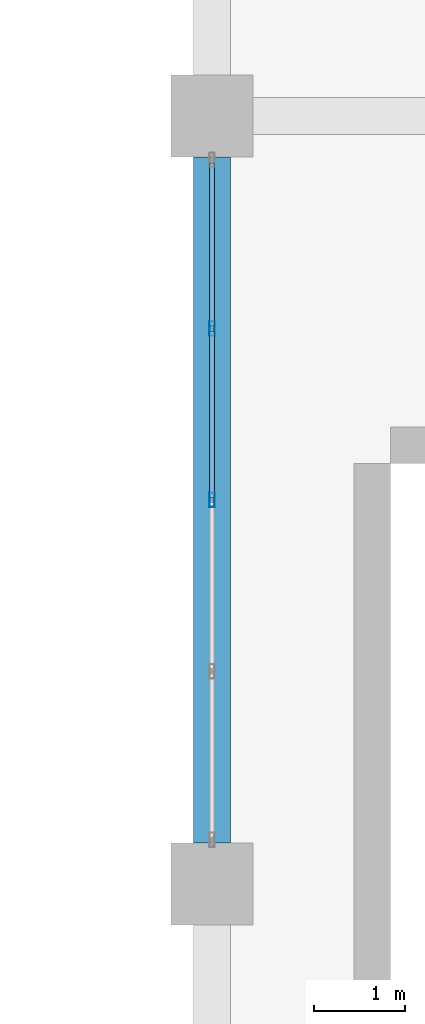
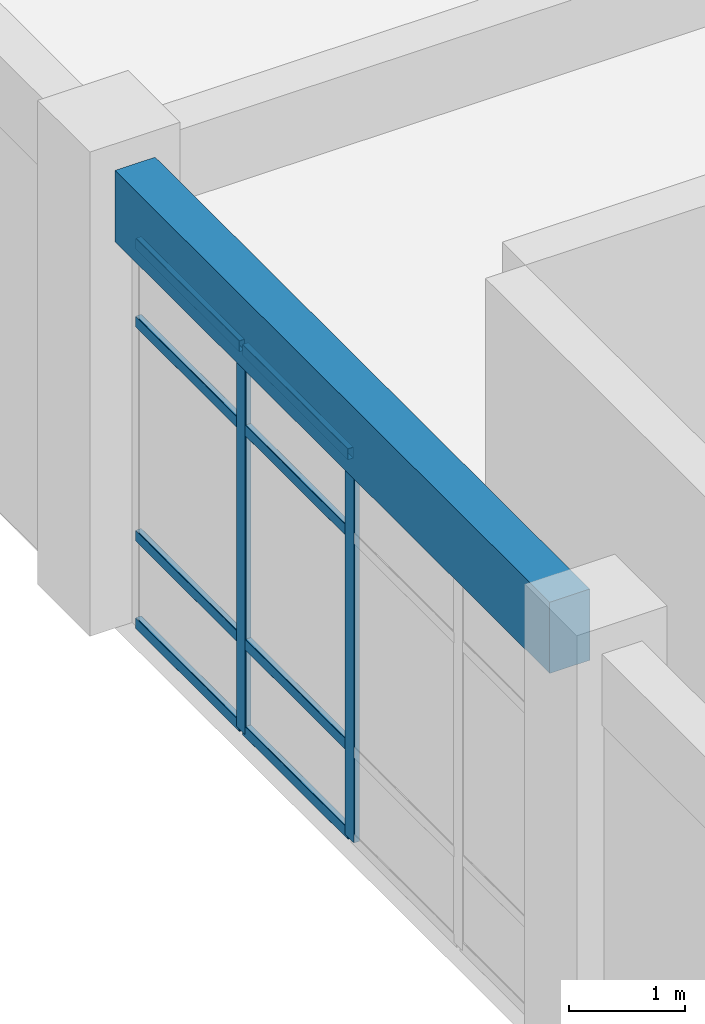
# One storey, part 29 of 120: 10 members, 1 beam, 1 element without a shape of its own.
"""IFC4 building model written with IfcOpenShell, lengths in metres."""

from ifc_helpers import new_model, si_unit, derived_unit, direction, frame, origin, origin_2d, place, context, subcontext, project, spatial, rectangle, hollow_rectangle, extrude, material, layer, layer_set, material_profile, profile_set, type_object, element, aggregate, save


model = new_model("IFC4")

# Units and contexts
model_context = context("Model", 3, precision=1e-05, world=origin(), true_north=direction((0.0, 1.0)))
body_context = subcontext(model_context, "Body", "Model", "MODEL_VIEW")
ifc_project = project(units=[si_unit("LENGTHUNIT", "METRE"), si_unit("AREAUNIT", "SQUARE_METRE"), si_unit("VOLUMEUNIT", "CUBIC_METRE"), si_unit("PLANEANGLEUNIT", "RADIAN"), si_unit("MASSUNIT", "GRAM", prefix="KILO"), derived_unit("THERMALTRANSMITTANCEUNIT", [(si_unit("MASSUNIT", "GRAM", prefix="KILO"), 1), (si_unit("TIMEUNIT", "SECOND"), -3), (si_unit("THERMODYNAMICTEMPERATUREUNIT", "KELVIN"), -1)])], contexts=[model_context])

# Site, building, storey
site_placement = place(None, origin())
site = spatial("IfcSite", under=ifc_project, at=site_placement, CompositionType="ELEMENT")
building_placement = place(site_placement, origin())
building = spatial("IfcBuilding", under=site, at=building_placement, Name="Qinzheling Arcade Emporium", CompositionType="ELEMENT")
storey_placement = place(building_placement, frame((0.0, 0.0, 11.39990234375)))
storey = spatial("IfcBuildingStorey", under=building, at=storey_placement, Name="L03", CompositionType="ELEMENT", Elevation=11.39990234375)

# Curtain wall, members
ifc_material_1 = material(Name="Anodised aluminium and solar-control double glazing", Category="aluminium")
ifc_layer = layer(ifc_material_1, 0.159912109375, Name="Anodised aluminium and solar-control double glazing", Category="aluminium")
ifc_layer_set = layer_set([ifc_layer], Name="Anodised aluminium and solar-control double glazing")
curtain_wall_type = type_object("IfcCurtainWallType", Name="Arcade Portal Glazed Curtain Wall", PredefinedType="NOTDEFINED", material=ifc_layer_set)
curtain_wall_placement = place(storey_placement, origin())
curtain_wall = element("IfcCurtainWall", 1, at=curtain_wall_placement, inside=storey, type_object=curtain_wall_type, Name="Curtain Wall CW-L03-140", PredefinedType="NOTDEFINED")
ifc_material_2 = material(Name="Anodised aluminium 6063-T6", Category="aluminium")
ifc_material_profile_1 = material_profile(ifc_material_2, hollow_rectangle(XDim=0.06005859375, YDim=0.159912109375, WallThickness=0.00390625, InnerFilletRadius=0.00390625, OuterFilletRadius=0.008056640625, at=origin_2d()), Name="RHS 160x60x4", Category="aluminium")
ifc_profile_set_1 = profile_set([ifc_material_profile_1], Name="Anodised aluminium 6063-T6")
member_type_1 = type_object("IfcMemberType", Name="Curtain Wall Mullion RHS160x60", PredefinedType="MULLION", material=ifc_profile_set_1)
member_1_placement = place(storey_placement, frame((104.39990234375, 12.60009765625, 0.0), z_axis=(0.0, 0.0, 1.0), x_axis=(-1.0, 0.0, 0.0)))
member_1 = element("IfcMember", 2, at=member_1_placement, type_object=member_type_1, Name="CW05 mullion 3", PredefinedType="MULLION", context=body_context, shape_type="SweptSolid", body=[
    extrude(hollow_rectangle(XDim=0.06005859375, YDim=0.159912109375, WallThickness=0.00390625, InnerFilletRadius=0.00390625, OuterFilletRadius=0.008056640625, at=origin_2d()), origin(), (0.0, 0.0, 1.0), 4.05517578125),
])
member_2_placement = place(storey_placement, frame((104.39990234375, 14.47412109375, 0.0), z_axis=(0.0, 0.0, 1.0), x_axis=(-1.0, 0.0, 0.0)))
member_2 = element("IfcMember", 3, at=member_2_placement, type_object=member_type_1, Name="CW05 mullion 4", PredefinedType="MULLION", context=body_context, shape_type="SweptSolid", body=[
    extrude(hollow_rectangle(XDim=0.06005859375, YDim=0.159912109375, WallThickness=0.00390625, InnerFilletRadius=0.00390625, OuterFilletRadius=0.008056640625, at=origin_2d()), origin(), (0.0, 0.0, 1.0), 4.05517578125),
])
ifc_material_profile_2 = material_profile(ifc_material_2, hollow_rectangle(XDim=0.06005859375, YDim=0.1201171875, WallThickness=0.00390625, InnerFilletRadius=0.00390625, OuterFilletRadius=0.008056640625, at=origin_2d()), Name="RHS 120x60x4", Category="aluminium")
ifc_profile_set_2 = profile_set([ifc_material_profile_2], Name="Anodised aluminium 6063-T6")
member_type_2 = type_object("IfcMemberType", Name="Curtain Wall Transom RHS120x60", PredefinedType="USERDEFINED", material=ifc_profile_set_2)
member_3_placement = place(storey_placement, frame((104.39990234375, 12.6298828125, 0.030029296875), z_axis=(0.0, 1.0, 0.0), x_axis=(-1.0, 0.0, 0.0)))
member_3 = element("IfcMember", 4, at=member_3_placement, type_object=member_type_2, Name="CW05 transom 3.1", ObjectType="TRANSOM", PredefinedType="USERDEFINED", context=body_context, shape_type="SweptSolid", body=[
    extrude(hollow_rectangle(XDim=0.06005859375, YDim=0.1201171875, WallThickness=0.00390625, InnerFilletRadius=0.00390625, OuterFilletRadius=0.008056640625, at=origin_2d()), origin(), (0.0, 0.0, 1.0), 1.814208984375),
])
member_4_placement = place(storey_placement, frame((104.39990234375, 12.6298828125, 0.9501953125), z_axis=(0.0, 1.0, 0.0), x_axis=(-1.0, 0.0, 0.0)))
member_4 = element("IfcMember", 5, at=member_4_placement, type_object=member_type_2, Name="CW05 transom 3.2", ObjectType="TRANSOM", PredefinedType="USERDEFINED", context=body_context, shape_type="SweptSolid", body=[
    extrude(hollow_rectangle(XDim=0.06005859375, YDim=0.1201171875, WallThickness=0.00390625, InnerFilletRadius=0.00390625, OuterFilletRadius=0.008056640625, at=origin_2d()), origin(), (0.0, 0.0, 1.0), 1.814208984375),
])
member_5_placement = place(storey_placement, frame((104.39990234375, 12.6298828125, 3.205078125), z_axis=(0.0, 1.0, 0.0), x_axis=(-1.0, 0.0, 0.0)))
member_5 = element("IfcMember", 6, at=member_5_placement, type_object=member_type_2, Name="CW05 transom 3.3", ObjectType="TRANSOM", PredefinedType="USERDEFINED", context=body_context, shape_type="SweptSolid", body=[
    extrude(hollow_rectangle(XDim=0.06005859375, YDim=0.1201171875, WallThickness=0.00390625, InnerFilletRadius=0.00390625, OuterFilletRadius=0.008056640625, at=origin_2d()), origin(), (0.0, 0.0, 1.0), 1.814208984375),
])
member_6_placement = place(storey_placement, frame((104.39990234375, 12.6298828125, 4.025146484375), z_axis=(0.0, 1.0, 0.0), x_axis=(-1.0, 0.0, 0.0)))
member_6 = element("IfcMember", 7, at=member_6_placement, type_object=member_type_2, Name="CW05 transom 3.4", ObjectType="TRANSOM", PredefinedType="USERDEFINED", context=body_context, shape_type="SweptSolid", body=[
    extrude(hollow_rectangle(XDim=0.06005859375, YDim=0.1201171875, WallThickness=0.00390625, InnerFilletRadius=0.00390625, OuterFilletRadius=0.008056640625, at=origin_2d()), origin(), (0.0, 0.0, 1.0), 1.814208984375),
])
member_7_placement = place(storey_placement, frame((104.39990234375, 14.50390625, 0.030029296875), z_axis=(0.0, 1.0, 0.0), x_axis=(-1.0, 0.0, 0.0)))
member_7 = element("IfcMember", 8, at=member_7_placement, type_object=member_type_2, Name="CW05 transom 4.1", ObjectType="TRANSOM", PredefinedType="USERDEFINED", context=body_context, shape_type="SweptSolid", body=[
    extrude(hollow_rectangle(XDim=0.06005859375, YDim=0.1201171875, WallThickness=0.00390625, InnerFilletRadius=0.00390625, OuterFilletRadius=0.008056640625, at=origin_2d()), origin(), (0.0, 0.0, 1.0), 1.7841796875),
])
member_8_placement = place(storey_placement, frame((104.39990234375, 14.50390625, 0.9501953125), z_axis=(0.0, 1.0, 0.0), x_axis=(-1.0, 0.0, 0.0)))
member_8 = element("IfcMember", 9, at=member_8_placement, type_object=member_type_2, Name="CW05 transom 4.2", ObjectType="TRANSOM", PredefinedType="USERDEFINED", context=body_context, shape_type="SweptSolid", body=[
    extrude(hollow_rectangle(XDim=0.06005859375, YDim=0.1201171875, WallThickness=0.00390625, InnerFilletRadius=0.00390625, OuterFilletRadius=0.008056640625, at=origin_2d()), origin(), (0.0, 0.0, 1.0), 1.7841796875),
])
member_9_placement = place(storey_placement, frame((104.39990234375, 14.50390625, 3.205078125), z_axis=(0.0, 1.0, 0.0), x_axis=(-1.0, 0.0, 0.0)))
member_9 = element("IfcMember", 10, at=member_9_placement, type_object=member_type_2, Name="CW05 transom 4.3", ObjectType="TRANSOM", PredefinedType="USERDEFINED", context=body_context, shape_type="SweptSolid", body=[
    extrude(hollow_rectangle(XDim=0.06005859375, YDim=0.1201171875, WallThickness=0.00390625, InnerFilletRadius=0.00390625, OuterFilletRadius=0.008056640625, at=origin_2d()), origin(), (0.0, 0.0, 1.0), 1.7841796875),
])
member_10_placement = place(storey_placement, frame((104.39990234375, 14.50390625, 4.025146484375), z_axis=(0.0, 1.0, 0.0), x_axis=(-1.0, 0.0, 0.0)))
member_10 = element("IfcMember", 11, at=member_10_placement, type_object=member_type_2, Name="CW05 transom 4.4", ObjectType="TRANSOM", PredefinedType="USERDEFINED", context=body_context, shape_type="SweptSolid", body=[
    extrude(hollow_rectangle(XDim=0.06005859375, YDim=0.1201171875, WallThickness=0.00390625, InnerFilletRadius=0.00390625, OuterFilletRadius=0.008056640625, at=origin_2d()), origin(), (0.0, 0.0, 1.0), 1.7841796875),
])
aggregate(curtain_wall, [member_1, member_2, member_3, member_4, member_5, member_6, member_7, member_8, member_9, member_10])

# Beam
ifc_material_3 = material(Name="Concrete C40", Category="concrete")
ifc_material_profile_3 = material_profile(ifc_material_3, rectangle(XDim=0.39990234375, YDim=0.75, at=origin_2d()), Name="RC 400x750", Category="concrete")
ifc_profile_set_3 = profile_set([ifc_material_profile_3], Name="Concrete C40")
beam_type = type_object("IfcBeamType", Name="RC Interior Tie Beam 400x750 C40", PredefinedType="BEAM", material=ifc_profile_set_3)
beam_placement = place(storey_placement, frame((104.39990234375, 8.85009765625, 4.445068359375), z_axis=(0.0, 1.0, 0.0), x_axis=(-1.0, 0.0, 0.0)))
element("IfcBeam", 12, at=beam_placement, inside=storey, type_object=beam_type, Name="Beam BM-L03-Y-13-B", PredefinedType="BEAM", context=body_context, shape_type="SweptSolid", body=[
    extrude(rectangle(XDim=0.39990234375, YDim=0.75, at=origin_2d()), origin(), (0.0, 0.0, 1.0), 7.5),
])

save(model, "model.ifc")
